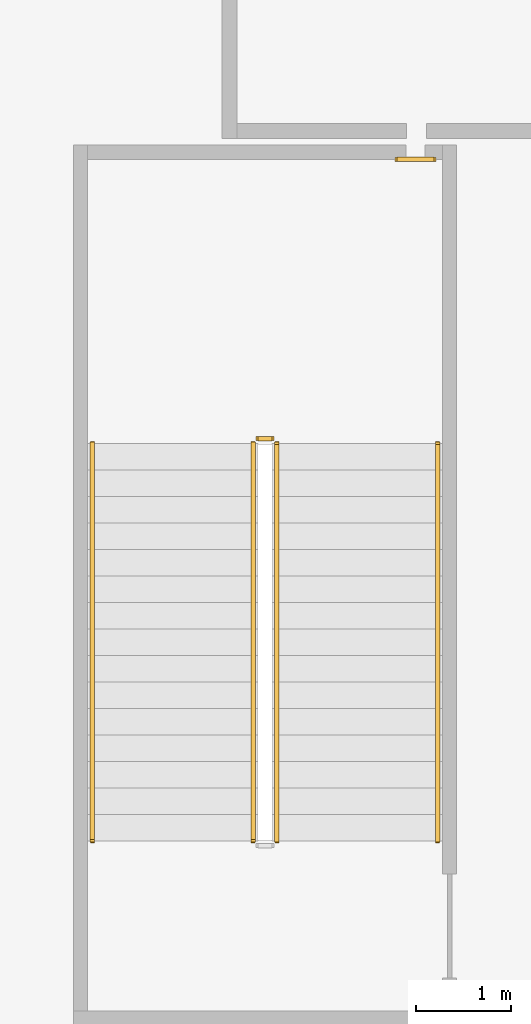
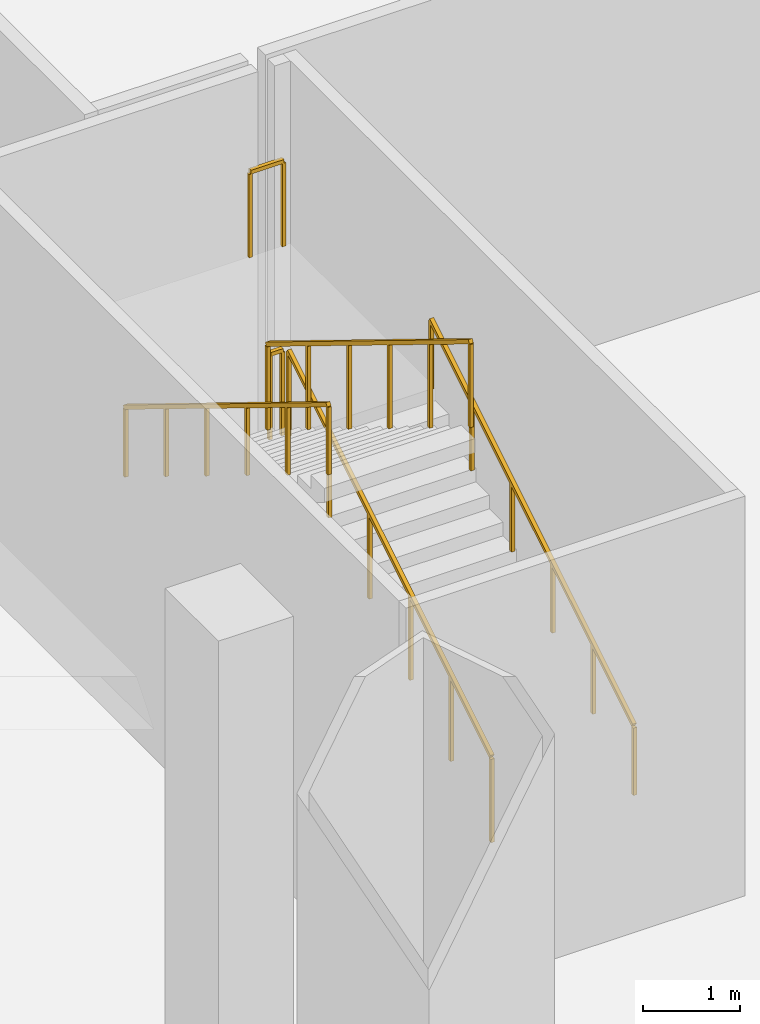
# One storey, part 25 of 26: 6 railings.
"""IFC4 building model written with IfcOpenShell, lengths in metres."""

from ifc_helpers import new_model, si_unit, direction, frame, origin, origin_2d, place, context, subcontext, project, spatial, rectangle, extrude, material, type_object, element, save


model = new_model("IFC4")

# Units and contexts
model_context = context("Model", 3, precision=1e-05, world=origin(), true_north=direction((0.0, 1.0)))
body_context = subcontext(model_context, "Body", "Model", "MODEL_VIEW")
ifc_project = project(units=[si_unit("LENGTHUNIT", "METRE"), si_unit("AREAUNIT", "SQUARE_METRE"), si_unit("VOLUMEUNIT", "CUBIC_METRE"), si_unit("PLANEANGLEUNIT", "RADIAN"), si_unit("MASSUNIT", "GRAM", prefix="KILO")], contexts=[model_context])

# Site, building, storey
site_placement = place(None, origin())
site = spatial("IfcSite", under=ifc_project, at=site_placement, CompositionType="ELEMENT")
building_placement = place(site_placement, origin())
building = spatial("IfcBuilding", under=site, at=building_placement, Name="Alderwake Tower", CompositionType="ELEMENT")
storey_placement = place(building_placement, frame((0.0, 0.0, 8.0)))
storey = spatial("IfcBuildingStorey", under=building, at=storey_placement, Name="L01", CompositionType="ELEMENT", Elevation=8.0)

# Railings
ifc_material_1 = material(Name="Stainless steel guard", Category="steel")
railing_type_1 = type_object("IfcRailingType", Name="Stair guard 1100", PredefinedType="GUARDRAIL", material=ifc_material_1)
railing_1_placement = place(storey_placement, frame((14.5, 97.5, 0.171875)))
element("IfcRailing", 1, at=railing_1_placement, inside=storey, type_object=railing_type_1, Name="L01 ST-P2 stair guard 1", PredefinedType="GUARDRAIL", context=body_context, shape_type="SweptSolid", body=[
    extrude(rectangle(XDim=0.048095703125, YDim=0.048095703125, at=origin_2d()), frame((0.0, 0.0, 1.076171875), z_axis=(0.0, 0.852242915053, 0.523146264196), x_axis=(-1.0, 0.0, 0.0)), (0.0, 0.0, 1.0), 4.92822265625),
    extrude(rectangle(XDim=0.0419921875, YDim=0.0419921875, at=origin_2d()), frame((0.0, 0.0, 0.0), z_axis=(0.0, 0.0, 1.0), x_axis=(0.0, 1.0, 0.0)), (0.0, 0.0, 1.0), 1.052001953125),
    extrude(rectangle(XDim=0.0419921875, YDim=0.0419921875, at=origin_2d()), frame((0.0, 0.840087890625, 0.515625), z_axis=(0.0, 0.0, 1.0), x_axis=(0.0, 1.0, 0.0)), (0.0, 0.0, 1.0), 1.052001953125),
    extrude(rectangle(XDim=0.0419921875, YDim=0.0419921875, at=origin_2d()), frame((0.0, 1.679931640625, 1.03125), z_axis=(0.0, 0.0, 1.0), x_axis=(0.0, 1.0, 0.0)), (0.0, 0.0, 1.0), 1.052001953125),
    extrude(rectangle(XDim=0.0419921875, YDim=0.0419921875, at=origin_2d()), frame((0.0, 2.52001953125, 1.546875), z_axis=(0.0, 0.0, 1.0), x_axis=(0.0, 1.0, 0.0)), (0.0, 0.0, 1.0), 1.052001953125),
    extrude(rectangle(XDim=0.0419921875, YDim=0.0419921875, at=origin_2d()), frame((0.0, 3.35986328125, 2.0625), z_axis=(0.0, 0.0, 1.0), x_axis=(0.0, 1.0, 0.0)), (0.0, 0.0, 1.0), 1.052001953125),
    extrude(rectangle(XDim=0.0419921875, YDim=0.0419921875, at=origin_2d()), frame((0.0, 4.199951171875, 2.578125), z_axis=(0.0, 0.0, 1.0), x_axis=(0.0, 1.0, 0.0)), (0.0, 0.0, 1.0), 1.052001953125),
])
railing_2_placement = place(storey_placement, frame((14.449951171875, 101.75, 2.75)))
element("IfcRailing", 2, at=railing_2_placement, inside=storey, type_object=railing_type_1, Name="L01 ST-P2 stair guard 2", PredefinedType="GUARDRAIL", context=body_context, shape_type="SweptSolid", body=[
    extrude(rectangle(XDim=0.048095703125, YDim=0.048095703125, at=origin_2d()), frame((0.0, 0.0, 1.076171875), z_axis=(-1.0, 0.0, 0.0), x_axis=(0.0, -1.0, 0.0)), (0.0, 0.0, 1.0), 0.14990234375),
    extrude(rectangle(XDim=0.0419921875, YDim=0.0419921875, at=origin_2d()), frame((0.0, 0.0, 0.0), z_axis=(0.0, 0.0, 1.0), x_axis=(-1.0, 0.0, 0.0)), (0.0, 0.0, 1.0), 1.052001953125),
    extrude(rectangle(XDim=0.0419921875, YDim=0.0419921875, at=origin_2d()), frame((-0.14990234375, 0.0, 0.0), z_axis=(0.0, 0.0, 1.0), x_axis=(-1.0, 0.0, 0.0)), (0.0, 0.0, 1.0), 1.052001953125),
])
railing_3_placement = place(storey_placement, frame((14.25, 101.699951171875, 2.921875)))
element("IfcRailing", 3, at=railing_3_placement, inside=storey, type_object=railing_type_1, Name="L01 ST-P2 stair guard 3", PredefinedType="GUARDRAIL", context=body_context, shape_type="SweptSolid", body=[
    extrude(rectangle(XDim=0.048095703125, YDim=0.048095703125, at=origin_2d()), frame((0.0, 0.0, 1.076171875), z_axis=(0.0, -0.852242915053, 0.523146264196), x_axis=(1.0, 0.0, 0.0)), (0.0, 0.0, 1.0), 4.92822265625),
    extrude(rectangle(XDim=0.0419921875, YDim=0.0419921875, at=origin_2d()), frame((0.0, 0.0, 0.0), z_axis=(0.0, 0.0, 1.0), x_axis=(0.0, -1.0, 0.0)), (0.0, 0.0, 1.0), 1.052001953125),
    extrude(rectangle(XDim=0.0419921875, YDim=0.0419921875, at=origin_2d()), frame((0.0, -0.840087890625, 0.515625), z_axis=(0.0, 0.0, 1.0), x_axis=(0.0, -1.0, 0.0)), (0.0, 0.0, 1.0), 1.052001953125),
    extrude(rectangle(XDim=0.0419921875, YDim=0.0419921875, at=origin_2d()), frame((0.0, -1.679931640625, 1.03125), z_axis=(0.0, 0.0, 1.0), x_axis=(0.0, -1.0, 0.0)), (0.0, 0.0, 1.0), 1.052001953125),
    extrude(rectangle(XDim=0.0419921875, YDim=0.0419921875, at=origin_2d()), frame((0.0, -2.52001953125, 1.546875), z_axis=(0.0, 0.0, 1.0), x_axis=(0.0, -1.0, 0.0)), (0.0, 0.0, 1.0), 1.052001953125),
    extrude(rectangle(XDim=0.0419921875, YDim=0.0419921875, at=origin_2d()), frame((0.0, -3.35986328125, 2.0625), z_axis=(0.0, 0.0, 1.0), x_axis=(0.0, -1.0, 0.0)), (0.0, 0.0, 1.0), 1.052001953125),
    extrude(rectangle(XDim=0.0419921875, YDim=0.0419921875, at=origin_2d()), frame((0.0, -4.199951171875, 2.578125), z_axis=(0.0, 0.0, 1.0), x_axis=(0.0, -1.0, 0.0)), (0.0, 0.0, 1.0), 1.052001953125),
])
railing_4_placement = place(storey_placement, frame((16.1630859375, 104.699951171875, 2.75)))
element("IfcRailing", 4, at=railing_4_placement, inside=storey, type_object=railing_type_1, Name="L01 landing guard ST-P2.L1", PredefinedType="GUARDRAIL", context=body_context, shape_type="SweptSolid", body=[
    extrude(rectangle(XDim=0.048095703125, YDim=0.048095703125, at=origin_2d()), frame((0.0, 0.0, 1.076171875), z_axis=(-1.0, 0.0, 0.0), x_axis=(0.0, -1.0, 0.0)), (0.0, 0.0, 1.0), 0.39599609375),
    extrude(rectangle(XDim=0.0419921875, YDim=0.0419921875, at=origin_2d()), frame((0.0, 0.0, 0.0), z_axis=(0.0, 0.0, 1.0), x_axis=(-1.0, 0.0, 0.0)), (0.0, 0.0, 1.0), 1.052001953125),
    extrude(rectangle(XDim=0.0419921875, YDim=0.0419921875, at=origin_2d()), frame((-0.39599609375, 0.0, 0.0), z_axis=(0.0, 0.0, 1.0), x_axis=(-1.0, 0.0, 0.0)), (0.0, 0.0, 1.0), 1.052001953125),
])
ifc_material_2 = material(Name="Stainless steel handrail", Category="steel")
railing_type_2 = type_object("IfcRailingType", Name="Stair handrail 900", PredefinedType="HANDRAIL", material=ifc_material_2)
railing_5_placement = place(storey_placement, frame((16.199951171875, 97.5, 0.171875)))
element("IfcRailing", 5, at=railing_5_placement, inside=storey, type_object=railing_type_2, Name="L01 ST-P2 stair handrail 1", PredefinedType="HANDRAIL", context=body_context, shape_type="SweptSolid", body=[
    extrude(rectangle(XDim=0.048095703125, YDim=0.048095703125, at=origin_2d()), frame((0.0, 0.0, 0.8759765625), z_axis=(0.0, 0.852242915053, 0.523146264196), x_axis=(-1.0, 0.0, 0.0)), (0.0, 0.0, 1.0), 4.92822265625),
    extrude(rectangle(XDim=0.0419921875, YDim=0.0419921875, at=origin_2d()), frame((0.0, 0.0, 0.0), z_axis=(0.0, 0.0, 1.0), x_axis=(0.0, 1.0, 0.0)), (0.0, 0.0, 1.0), 0.851806640625),
    extrude(rectangle(XDim=0.0419921875, YDim=0.0419921875, at=origin_2d()), frame((0.0, 0.840087890625, 0.515625), z_axis=(0.0, 0.0, 1.0), x_axis=(0.0, 1.0, 0.0)), (0.0, 0.0, 1.0), 0.851806640625),
    extrude(rectangle(XDim=0.0419921875, YDim=0.0419921875, at=origin_2d()), frame((0.0, 1.679931640625, 1.03125), z_axis=(0.0, 0.0, 1.0), x_axis=(0.0, 1.0, 0.0)), (0.0, 0.0, 1.0), 0.851806640625),
    extrude(rectangle(XDim=0.0419921875, YDim=0.0419921875, at=origin_2d()), frame((0.0, 2.52001953125, 1.546875), z_axis=(0.0, 0.0, 1.0), x_axis=(0.0, 1.0, 0.0)), (0.0, 0.0, 1.0), 0.851806640625),
    extrude(rectangle(XDim=0.0419921875, YDim=0.0419921875, at=origin_2d()), frame((0.0, 3.35986328125, 2.0625), z_axis=(0.0, 0.0, 1.0), x_axis=(0.0, 1.0, 0.0)), (0.0, 0.0, 1.0), 0.851806640625),
    extrude(rectangle(XDim=0.0419921875, YDim=0.0419921875, at=origin_2d()), frame((0.0, 4.199951171875, 2.578125), z_axis=(0.0, 0.0, 1.0), x_axis=(0.0, 1.0, 0.0)), (0.0, 0.0, 1.0), 0.851806640625),
])
railing_6_placement = place(storey_placement, frame((12.550048828125, 101.699951171875, 2.921875)))
element("IfcRailing", 6, at=railing_6_placement, inside=storey, type_object=railing_type_2, Name="L01 ST-P2 stair handrail 2", PredefinedType="HANDRAIL", context=body_context, shape_type="SweptSolid", body=[
    extrude(rectangle(XDim=0.048095703125, YDim=0.048095703125, at=origin_2d()), frame((0.0, 0.0, 0.8759765625), z_axis=(0.0, -0.852242915053, 0.523146264196), x_axis=(1.0, 0.0, 0.0)), (0.0, 0.0, 1.0), 4.92822265625),
    extrude(rectangle(XDim=0.0419921875, YDim=0.0419921875, at=origin_2d()), frame((0.0, 0.0, 0.0), z_axis=(0.0, 0.0, 1.0), x_axis=(0.0, -1.0, 0.0)), (0.0, 0.0, 1.0), 0.851806640625),
    extrude(rectangle(XDim=0.0419921875, YDim=0.0419921875, at=origin_2d()), frame((0.0, -0.840087890625, 0.515625), z_axis=(0.0, 0.0, 1.0), x_axis=(0.0, -1.0, 0.0)), (0.0, 0.0, 1.0), 0.851806640625),
    extrude(rectangle(XDim=0.0419921875, YDim=0.0419921875, at=origin_2d()), frame((0.0, -1.679931640625, 1.03125), z_axis=(0.0, 0.0, 1.0), x_axis=(0.0, -1.0, 0.0)), (0.0, 0.0, 1.0), 0.851806640625),
    extrude(rectangle(XDim=0.0419921875, YDim=0.0419921875, at=origin_2d()), frame((0.0, -2.52001953125, 1.546875), z_axis=(0.0, 0.0, 1.0), x_axis=(0.0, -1.0, 0.0)), (0.0, 0.0, 1.0), 0.851806640625),
    extrude(rectangle(XDim=0.0419921875, YDim=0.0419921875, at=origin_2d()), frame((0.0, -3.35986328125, 2.0625), z_axis=(0.0, 0.0, 1.0), x_axis=(0.0, -1.0, 0.0)), (0.0, 0.0, 1.0), 0.851806640625),
    extrude(rectangle(XDim=0.0419921875, YDim=0.0419921875, at=origin_2d()), frame((0.0, -4.199951171875, 2.578125), z_axis=(0.0, 0.0, 1.0), x_axis=(0.0, -1.0, 0.0)), (0.0, 0.0, 1.0), 0.851806640625),
])

save(model, "model.ifc")
